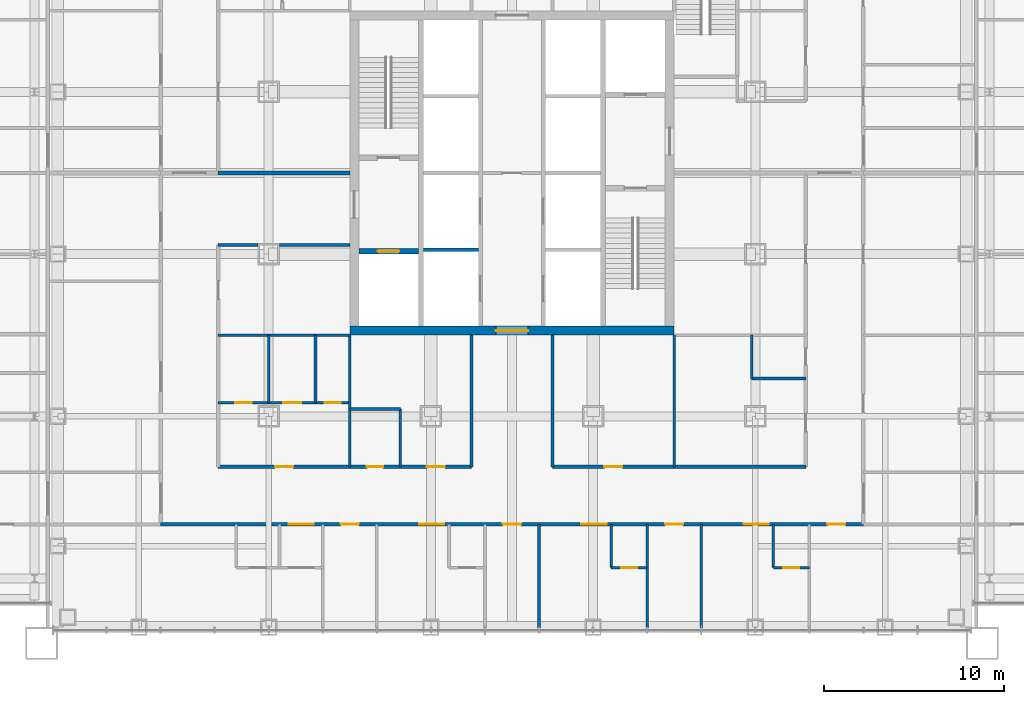
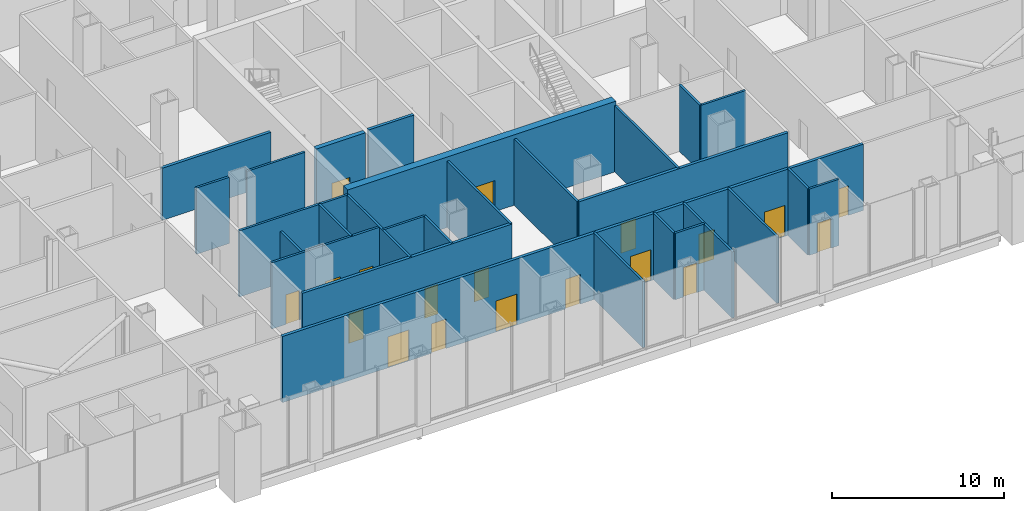
# One storey, part 17 of 28: 28 walls, 19 doors, 19 openings.
"""IFC4 building model written with IfcOpenShell, lengths in metres."""

from ifc_helpers import new_model, si_unit, direction, frame, frame_2d, origin, place, context, subcontext, project, spatial, rectangle, extrude, material, layer, layer_set, type_object, element, fill, save


model = new_model("IFC4")

# Units and contexts
model_context = context("Model", 3, precision=1e-05, world=origin(), true_north=direction((0.0, 1.0)))
body_context = subcontext(model_context, "Body", "Model", "MODEL_VIEW")
ifc_project = project(units=[si_unit("LENGTHUNIT", "METRE"), si_unit("AREAUNIT", "SQUARE_METRE"), si_unit("VOLUMEUNIT", "CUBIC_METRE"), si_unit("PLANEANGLEUNIT", "RADIAN"), si_unit("MASSUNIT", "GRAM", prefix="KILO")], contexts=[model_context])

# Site, building, storey
site_placement = place(None, origin())
site = spatial("IfcSite", under=ifc_project, at=site_placement, CompositionType="ELEMENT")
building_placement = place(site_placement, origin())
building = spatial("IfcBuilding", under=site, at=building_placement, Name="Malebo Sky Hospital", CompositionType="ELEMENT")
storey_placement = place(building_placement, frame((0.0, 0.0, 21.0)))
storey = spatial("IfcBuildingStorey", under=building, at=storey_placement, Name="L04", CompositionType="ELEMENT", Elevation=21.0)

# Wall
ifc_material_1 = material(Name="Concrete C80/95", Category="concrete")
ifc_layer_1 = layer(ifc_material_1, 0.199951171875)
ifc_layer_set_1 = layer_set([ifc_layer_1], Name="CORE INNER WALL 200")
wall_type_1 = type_object("IfcWallType", Name="CORE INNER WALL 200", PredefinedType="SHEAR", material=ifc_layer_set_1)
wall_1_placement = place(storey_placement, frame((55.10009765625, 57.75, 0.0), z_axis=(0.0, 0.0, 1.0), x_axis=(1.0, 0.0, 0.0)))
element("IfcWall", 1, at=wall_1_placement, inside=storey, type_object=wall_type_1, Name="Core wall SW0 L04", PredefinedType="SHEAR", context=body_context, shape_type="SweptSolid", body=[
    extrude(rectangle(XDim=3.0498046875, YDim=0.199951171875, at=frame_2d((1.52490234375, 0.0))), origin(), (0.0, 0.0, 1.0), 5.0),
])

# Wall, opening, door
ifc_layer_2 = layer(ifc_material_1, 0.300048828125)
ifc_layer_set_2 = layer_set([ifc_layer_2], Name="CORE INNER WALL 300")
wall_type_2 = type_object("IfcWallType", Name="CORE INNER WALL 300", PredefinedType="SHEAR", material=ifc_layer_set_2)
wall_2_placement = place(storey_placement, frame((51.5, 57.64990234375, 0.0), z_axis=(0.0, 0.0, 1.0), x_axis=(1.0, 0.0, 0.0)))
wall_2 = element("IfcWall", 2, at=wall_2_placement, inside=storey, type_object=wall_type_2, Name="Core wall W2 L04", PredefinedType="SHEAR", context=body_context, shape_type="SweptSolid", body=[
    extrude(rectangle(XDim=3.300048828125, YDim=0.300048828125, at=frame_2d((1.64990234375, 0.0))), origin(), (0.0, 0.0, 1.0), 5.0),
])
opening_1_placement = place(wall_2_placement, frame((1.050048828125, 0.0, 0.0)))
opening_1 = element("IfcOpeningElement", 3, at=opening_1_placement, cuts=wall_2, Name="Opening LD2", PredefinedType="OPENING", context=body_context, shape_type="SweptSolid", body=[
    extrude(rectangle(XDim=1.199951171875, YDim=2.199951171875, at=frame_2d((0.60009765625, 1.10009765625))), frame((0.0, 0.159912109375, 0.0), z_axis=(0.0, -1.0, 0.0), x_axis=(1.0, 0.0, 0.0)), (0.0, 0.0, 1.0), 0.320068359375),
])
ifc_material_2 = material(Name="Stainless steel sliding landing door", Category="steel")
door_type_1 = type_object("IfcDoorType", Name="FIRE-FIGHTING LIFT LANDING DOOR 1200", OperationType="SLIDING_TO_LEFT", PredefinedType="DOOR", material=ifc_material_2)
door_1_placement = place(opening_1_placement, origin())
door_1 = element("IfcDoor", 4, at=door_1_placement, inside=storey, type_object=door_type_1, Name="Lift FL1 landing door", OperationType="SLIDING_TO_LEFT", OverallHeight=2.199951171875, OverallWidth=1.199951171875, PredefinedType="DOOR", context=body_context, shape_type="SweptSolid", body=[
    extrude(rectangle(XDim=1.199951171875, YDim=2.199951171875, at=frame_2d((0.60009765625, 1.10009765625))), frame((0.0, 0.02490234375, 0.0), z_axis=(0.0, -1.0, 0.0), x_axis=(1.0, 0.0, 0.0)), (0.0, 0.0, 1.0), 0.050048828125),
])
fill(opening_1, door_1)

ifc_layer_3 = layer(ifc_material_1, 0.5)
ifc_layer_set_3 = layer_set([ifc_layer_3], Name="CORE WALL 500")
wall_type_3 = type_object("IfcWallType", Name="CORE WALL 500", PredefinedType="SHEAR", material=ifc_layer_set_3)
wall_3_placement = place(storey_placement, frame((51.0, 53.25, 0.0), z_axis=(0.0, 0.0, 1.0), x_axis=(1.0, 0.0, 0.0)))
wall_3 = element("IfcWall", 5, at=wall_3_placement, inside=storey, type_object=wall_type_3, Name="Core wall S L04", PredefinedType="SHEAR", context=body_context, shape_type="SweptSolid", body=[
    extrude(rectangle(XDim=18.0, YDim=0.5, at=frame_2d((9.0, 0.0))), origin(), (0.0, 0.0, 1.0), 5.0),
])
opening_2_placement = place(wall_3_placement, frame((8.10009765625, 0.0, 0.0)))
opening_2 = element("IfcOpeningElement", 6, at=opening_2_placement, cuts=wall_3, Name="Opening D06", PredefinedType="OPENING", context=body_context, shape_type="SweptSolid", body=[
    extrude(rectangle(XDim=1.800048828125, YDim=2.199951171875, at=frame_2d((0.89990234375, 1.10009765625))), frame((0.0, 0.260009765625, 0.0), z_axis=(0.0, -1.0, 0.0), x_axis=(1.0, 0.0, 0.0)), (0.0, 0.0, 1.0), 0.52001953125),
])
ifc_material_3 = material(Name="Hardwood-faced door leaf in steel frame", Category="steel")
door_type_2 = type_object("IfcDoorType", Name="LOBBY DOOR PAIR 1800", OperationType="DOUBLE_DOOR_SINGLE_SWING", PredefinedType="DOOR", material=ifc_material_3)
door_2_placement = place(opening_2_placement, origin())
door_2 = element("IfcDoor", 7, at=door_2_placement, inside=storey, type_object=door_type_2, Name="Lift lobby door south", OperationType="DOUBLE_DOOR_SINGLE_SWING", OverallHeight=2.199951171875, OverallWidth=1.800048828125, PredefinedType="DOOR", context=body_context, shape_type="SweptSolid", body=[
    extrude(rectangle(XDim=1.800048828125, YDim=2.199951171875, at=frame_2d((0.89990234375, 1.10009765625))), frame((0.0, 0.02490234375, 0.0), z_axis=(0.0, -1.0, 0.0), x_axis=(1.0, 0.0, 0.0)), (0.0, 0.0, 1.0), 0.050048828125),
])
fill(opening_2, door_2)

# Wall, openings, doors
ifc_material_4 = material(Name="Gypsum board on steel studs", Category="steel")
ifc_layer_4 = layer(ifc_material_4, 0.199951171875)
ifc_layer_set_4 = layer_set([ifc_layer_4], Name="CORRIDOR WALL 200")
wall_type_4 = type_object("IfcWallType", Name="CORRIDOR WALL 200", PredefinedType="PARTITIONING", material=ifc_layer_set_4)
wall_4_placement = place(storey_placement, frame((79.5, 42.5, 0.0), z_axis=(0.0, 0.0, 1.0), x_axis=(-1.0, 0.0, 0.0)))
wall_4 = element("IfcWall", 8, at=wall_4_placement, inside=storey, type_object=wall_type_4, Name="Corridor Wall 200 SCO", PredefinedType="PARTITIONING", context=body_context, shape_type="SweptSolid", body=[
    extrude(rectangle(XDim=39.0, YDim=0.199951171875, at=frame_2d((19.5, 0.0))), origin(), (0.0, 0.0, 1.0), 4.699951171875),
])
opening_3_placement = place(wall_4_placement, frame((1.0, 0.0, 0.0)))
opening_3 = element("IfcOpeningElement", 9, at=opening_3_placement, cuts=wall_4, Name="Opening D03", PredefinedType="OPENING", context=body_context, shape_type="SweptSolid", body=[
    extrude(rectangle(XDim=1.0, YDim=2.10009765625, at=frame_2d((0.5, 1.050048828125))), frame((0.0, 0.10986328125, 0.0), z_axis=(0.0, -1.0, 0.0), x_axis=(1.0, 0.0, 0.0)), (0.0, 0.0, 1.0), 0.219970703125),
])
opening_4_placement = place(wall_4_placement, frame((5.25, 0.0, 0.0)))
opening_4 = element("IfcOpeningElement", 10, at=opening_4_placement, cuts=wall_4, Name="Opening D25", PredefinedType="OPENING", context=body_context, shape_type="SweptSolid", body=[
    extrude(rectangle(XDim=1.39990234375, YDim=2.199951171875, at=frame_2d((0.699951171875, 1.10009765625))), frame((0.0, 0.10986328125, 0.0), z_axis=(0.0, -1.0, 0.0), x_axis=(1.0, 0.0, 0.0)), (0.0, 0.0, 1.0), 0.219970703125),
])
opening_5_placement = place(wall_4_placement, frame((10.0, 0.0, 0.0)))
opening_5 = element("IfcOpeningElement", 11, at=opening_5_placement, cuts=wall_4, Name="Opening D03", PredefinedType="OPENING", context=body_context, shape_type="SweptSolid", body=[
    extrude(rectangle(XDim=1.0, YDim=2.10009765625, at=frame_2d((0.5, 1.050048828125))), frame((0.0, 0.10986328125, 0.0), z_axis=(0.0, -1.0, 0.0), x_axis=(1.0, 0.0, 0.0)), (0.0, 0.0, 1.0), 0.219970703125),
])
opening_6_placement = place(wall_4_placement, frame((14.25, 0.0, 0.0)))
opening_6 = element("IfcOpeningElement", 12, at=opening_6_placement, cuts=wall_4, Name="Opening D25", PredefinedType="OPENING", context=body_context, shape_type="SweptSolid", body=[
    extrude(rectangle(XDim=1.39990234375, YDim=2.199951171875, at=frame_2d((0.699951171875, 1.10009765625))), frame((0.0, 0.10986328125, 0.0), z_axis=(0.0, -1.0, 0.0), x_axis=(1.0, 0.0, 0.0)), (0.0, 0.0, 1.0), 0.219970703125),
])
opening_7_placement = place(wall_4_placement, frame((19.0, 0.0, 0.0)))
opening_7 = element("IfcOpeningElement", 13, at=opening_7_placement, cuts=wall_4, Name="Opening D03", PredefinedType="OPENING", context=body_context, shape_type="SweptSolid", body=[
    extrude(rectangle(XDim=1.0, YDim=2.10009765625, at=frame_2d((0.5, 1.050048828125))), frame((0.0, 0.10986328125, 0.0), z_axis=(0.0, -1.0, 0.0), x_axis=(1.0, 0.0, 0.0)), (0.0, 0.0, 1.0), 0.219970703125),
])
opening_8_placement = place(wall_4_placement, frame((23.25, 0.0, 0.0)))
opening_8 = element("IfcOpeningElement", 14, at=opening_8_placement, cuts=wall_4, Name="Opening D25", PredefinedType="OPENING", context=body_context, shape_type="SweptSolid", body=[
    extrude(rectangle(XDim=1.39990234375, YDim=2.199951171875, at=frame_2d((0.699951171875, 1.10009765625))), frame((0.0, 0.10986328125, 0.0), z_axis=(0.0, -1.0, 0.0), x_axis=(1.0, 0.0, 0.0)), (0.0, 0.0, 1.0), 0.219970703125),
])
opening_9_placement = place(wall_4_placement, frame((28.0, 0.0, 0.0)))
opening_9 = element("IfcOpeningElement", 15, at=opening_9_placement, cuts=wall_4, Name="Opening D03", PredefinedType="OPENING", context=body_context, shape_type="SweptSolid", body=[
    extrude(rectangle(XDim=1.0, YDim=2.10009765625, at=frame_2d((0.5, 1.050048828125))), frame((0.0, 0.10986328125, 0.0), z_axis=(0.0, -1.0, 0.0), x_axis=(1.0, 0.0, 0.0)), (0.0, 0.0, 1.0), 0.219970703125),
])
opening_10_placement = place(wall_4_placement, frame((30.5, 0.0, 0.0)))
opening_10 = element("IfcOpeningElement", 16, at=opening_10_placement, cuts=wall_4, Name="Opening D25", PredefinedType="OPENING", context=body_context, shape_type="SweptSolid", body=[
    extrude(rectangle(XDim=1.39990234375, YDim=2.199951171875, at=frame_2d((0.699951171875, 1.10009765625))), frame((0.0, 0.10986328125, 0.0), z_axis=(0.0, -1.0, 0.0), x_axis=(1.0, 0.0, 0.0)), (0.0, 0.0, 1.0), 0.219970703125),
])
door_type_3 = type_object("IfcDoorType", Name="BED DOOR PAIR 1400", OperationType="DOUBLE_DOOR_SINGLE_SWING", PredefinedType="DOOR", material=ifc_material_3)
door_3_placement = place(opening_4_placement, origin())
door_3 = element("IfcDoor", 17, at=door_3_placement, inside=storey, type_object=door_type_3, Name="ICU bed room door", OperationType="DOUBLE_DOOR_SINGLE_SWING", OverallHeight=2.199951171875, OverallWidth=1.39990234375, PredefinedType="DOOR", context=body_context, shape_type="SweptSolid", body=[
    extrude(rectangle(XDim=1.39990234375, YDim=2.199951171875, at=frame_2d((0.699951171875, 1.10009765625))), frame((0.0, 0.02490234375, 0.0), z_axis=(0.0, -1.0, 0.0), x_axis=(1.0, 0.0, 0.0)), (0.0, 0.0, 1.0), 0.050048828125),
])
fill(opening_4, door_3)
door_4_placement = place(opening_6_placement, origin())
door_4 = element("IfcDoor", 18, at=door_4_placement, inside=storey, type_object=door_type_3, Name="ICU bed room door", OperationType="DOUBLE_DOOR_SINGLE_SWING", OverallHeight=2.199951171875, OverallWidth=1.39990234375, PredefinedType="DOOR", context=body_context, shape_type="SweptSolid", body=[
    extrude(rectangle(XDim=1.39990234375, YDim=2.199951171875, at=frame_2d((0.699951171875, 1.10009765625))), frame((0.0, 0.02490234375, 0.0), z_axis=(0.0, -1.0, 0.0), x_axis=(1.0, 0.0, 0.0)), (0.0, 0.0, 1.0), 0.050048828125),
])
fill(opening_6, door_4)
door_5_placement = place(opening_8_placement, origin())
door_5 = element("IfcDoor", 19, at=door_5_placement, inside=storey, type_object=door_type_3, Name="ICU bed room door", OperationType="DOUBLE_DOOR_SINGLE_SWING", OverallHeight=2.199951171875, OverallWidth=1.39990234375, PredefinedType="DOOR", context=body_context, shape_type="SweptSolid", body=[
    extrude(rectangle(XDim=1.39990234375, YDim=2.199951171875, at=frame_2d((0.699951171875, 1.10009765625))), frame((0.0, 0.02490234375, 0.0), z_axis=(0.0, -1.0, 0.0), x_axis=(1.0, 0.0, 0.0)), (0.0, 0.0, 1.0), 0.050048828125),
])
fill(opening_8, door_5)
door_6_placement = place(opening_10_placement, origin())
door_6 = element("IfcDoor", 20, at=door_6_placement, inside=storey, type_object=door_type_3, Name="Anteroom door", OperationType="DOUBLE_DOOR_SINGLE_SWING", OverallHeight=2.199951171875, OverallWidth=1.39990234375, PredefinedType="DOOR", context=body_context, shape_type="SweptSolid", body=[
    extrude(rectangle(XDim=1.39990234375, YDim=2.199951171875, at=frame_2d((0.699951171875, 1.10009765625))), frame((0.0, 0.02490234375, 0.0), z_axis=(0.0, -1.0, 0.0), x_axis=(1.0, 0.0, 0.0)), (0.0, 0.0, 1.0), 0.050048828125),
])
fill(opening_10, door_6)
door_type_4 = type_object("IfcDoorType", Name="ROOM DOOR 1000", OperationType="SINGLE_SWING_LEFT", PredefinedType="DOOR", material=ifc_material_3)
door_7_placement = place(opening_3_placement, origin())
door_7 = element("IfcDoor", 21, at=door_7_placement, inside=storey, type_object=door_type_4, Name="ICU equipment bay door", OperationType="SINGLE_SWING_LEFT", OverallHeight=2.10009765625, OverallWidth=1.0, PredefinedType="DOOR", context=body_context, shape_type="SweptSolid", body=[
    extrude(rectangle(XDim=1.0, YDim=2.10009765625, at=frame_2d((0.5, 1.050048828125))), frame((0.0, 0.02490234375, 0.0), z_axis=(0.0, -1.0, 0.0), x_axis=(1.0, 0.0, 0.0)), (0.0, 0.0, 1.0), 0.050048828125),
])
fill(opening_3, door_7)
door_8_placement = place(opening_5_placement, origin())
door_8 = element("IfcDoor", 22, at=door_8_placement, inside=storey, type_object=door_type_4, Name="ICU nurse observation base door", OperationType="SINGLE_SWING_LEFT", OverallHeight=2.10009765625, OverallWidth=1.0, PredefinedType="DOOR", context=body_context, shape_type="SweptSolid", body=[
    extrude(rectangle(XDim=1.0, YDim=2.10009765625, at=frame_2d((0.5, 1.050048828125))), frame((0.0, 0.02490234375, 0.0), z_axis=(0.0, -1.0, 0.0), x_axis=(1.0, 0.0, 0.0)), (0.0, 0.0, 1.0), 0.050048828125),
])
fill(opening_5, door_8)
door_9_placement = place(opening_7_placement, origin())
door_9 = element("IfcDoor", 23, at=door_9_placement, inside=storey, type_object=door_type_4, Name="ICU equipment bay door", OperationType="SINGLE_SWING_LEFT", OverallHeight=2.10009765625, OverallWidth=1.0, PredefinedType="DOOR", context=body_context, shape_type="SweptSolid", body=[
    extrude(rectangle(XDim=1.0, YDim=2.10009765625, at=frame_2d((0.5, 1.050048828125))), frame((0.0, 0.02490234375, 0.0), z_axis=(0.0, -1.0, 0.0), x_axis=(1.0, 0.0, 0.0)), (0.0, 0.0, 1.0), 0.050048828125),
])
fill(opening_7, door_9)
door_10_placement = place(opening_9_placement, origin())
door_10 = element("IfcDoor", 24, at=door_10_placement, inside=storey, type_object=door_type_4, Name="ICU nurse observation base door", OperationType="SINGLE_SWING_LEFT", OverallHeight=2.10009765625, OverallWidth=1.0, PredefinedType="DOOR", context=body_context, shape_type="SweptSolid", body=[
    extrude(rectangle(XDim=1.0, YDim=2.10009765625, at=frame_2d((0.5, 1.050048828125))), frame((0.0, 0.02490234375, 0.0), z_axis=(0.0, -1.0, 0.0), x_axis=(1.0, 0.0, 0.0)), (0.0, 0.0, 1.0), 0.050048828125),
])
fill(opening_9, door_10)

# Wall, opening, door
wall_5_placement = place(storey_placement, frame((76.300048828125, 45.699951171875, 0.0), z_axis=(0.0, 0.0, 1.0), x_axis=(-1.0, 0.0, 0.0)))
wall_5 = element("IfcWall", 25, at=wall_5_placement, inside=storey, type_object=wall_type_4, Name="Corridor Wall 200 SCI1", PredefinedType="PARTITIONING", context=body_context, shape_type="SweptSolid", body=[
    extrude(rectangle(XDim=14.050048828125, YDim=0.199951171875, at=frame_2d((7.02490234375, 0.0))), origin(), (0.0, 0.0, 1.0), 4.699951171875),
])
opening_11_placement = place(wall_5_placement, frame((10.175048828125, 0.0, 0.0)))
opening_11 = element("IfcOpeningElement", 26, at=opening_11_placement, cuts=wall_5, Name="Opening D03", PredefinedType="OPENING", context=body_context, shape_type="SweptSolid", body=[
    extrude(rectangle(XDim=1.0, YDim=2.10009765625, at=frame_2d((0.5, 1.050048828125))), frame((0.0, 0.10986328125, 0.0), z_axis=(0.0, -1.0, 0.0), x_axis=(1.0, 0.0, 0.0)), (0.0, 0.0, 1.0), 0.219970703125),
])
door_11_placement = place(opening_11_placement, origin())
door_11 = element("IfcDoor", 27, at=door_11_placement, inside=storey, type_object=door_type_4, Name="Medication room door", OperationType="SINGLE_SWING_LEFT", OverallHeight=2.10009765625, OverallWidth=1.0, PredefinedType="DOOR", context=body_context, shape_type="SweptSolid", body=[
    extrude(rectangle(XDim=1.0, YDim=2.10009765625, at=frame_2d((0.5, 1.050048828125))), frame((0.0, 0.02490234375, 0.0), z_axis=(0.0, -1.0, 0.0), x_axis=(1.0, 0.0, 0.0)), (0.0, 0.0, 1.0), 0.050048828125),
])
fill(opening_11, door_11)

# Wall, openings, doors
wall_6_placement = place(storey_placement, frame((57.75, 45.699951171875, 0.0), z_axis=(0.0, 0.0, 1.0), x_axis=(-1.0, 0.0, 0.0)))
wall_6 = element("IfcWall", 28, at=wall_6_placement, inside=storey, type_object=wall_type_4, Name="Corridor Wall 200 SCI2", PredefinedType="PARTITIONING", context=body_context, shape_type="SweptSolid", body=[
    extrude(rectangle(XDim=14.050048828125, YDim=0.199951171875, at=frame_2d((7.02490234375, 0.0))), origin(), (0.0, 0.0, 1.0), 4.699951171875),
])
opening_12_placement = place(wall_6_placement, frame((9.89990234375, 0.0, 0.0)))
opening_12 = element("IfcOpeningElement", 29, at=opening_12_placement, cuts=wall_6, Name="Opening D03", PredefinedType="OPENING", context=body_context, shape_type="SweptSolid", body=[
    extrude(rectangle(XDim=1.0, YDim=2.10009765625, at=frame_2d((0.5, 1.050048828125))), frame((0.0, 0.10986328125, 0.0), z_axis=(0.0, -1.0, 0.0), x_axis=(1.0, 0.0, 0.0)), (0.0, 0.0, 1.0), 0.219970703125),
])
opening_13_placement = place(wall_6_placement, frame((4.89990234375, 0.0, 0.0)))
opening_13 = element("IfcOpeningElement", 30, at=opening_13_placement, cuts=wall_6, Name="Opening D04", PredefinedType="OPENING", context=body_context, shape_type="SweptSolid", body=[
    extrude(rectangle(XDim=0.89990234375, YDim=2.10009765625, at=frame_2d((0.449951171875, 1.050048828125))), frame((0.0, 0.10986328125, 0.0), z_axis=(0.0, -1.0, 0.0), x_axis=(1.0, 0.0, 0.0)), (0.0, 0.0, 1.0), 0.219970703125),
])
opening_14_placement = place(wall_6_placement, frame((1.47509765625, 0.0, 0.0)))
opening_14 = element("IfcOpeningElement", 31, at=opening_14_placement, cuts=wall_6, Name="Opening D03", PredefinedType="OPENING", context=body_context, shape_type="SweptSolid", body=[
    extrude(rectangle(XDim=1.0, YDim=2.10009765625, at=frame_2d((0.5, 1.050048828125))), frame((0.0, 0.10986328125, 0.0), z_axis=(0.0, -1.0, 0.0), x_axis=(1.0, 0.0, 0.0)), (0.0, 0.0, 1.0), 0.219970703125),
])
door_12_placement = place(opening_12_placement, origin())
door_12 = element("IfcDoor", 32, at=door_12_placement, inside=storey, type_object=door_type_4, Name="Patient WC vestibule door", OperationType="SINGLE_SWING_RIGHT", OverallHeight=2.10009765625, OverallWidth=1.0, PredefinedType="DOOR", context=body_context, shape_type="SweptSolid", body=[
    extrude(rectangle(XDim=1.0, YDim=2.10009765625, at=frame_2d((0.5, 1.050048828125))), frame((0.0, 0.02490234375, 0.0), z_axis=(0.0, -1.0, 0.0), x_axis=(1.0, 0.0, 0.0)), (0.0, 0.0, 1.0), 0.050048828125),
])
fill(opening_12, door_12)
door_13_placement = place(opening_14_placement, origin())
door_13 = element("IfcDoor", 33, at=door_13_placement, inside=storey, type_object=door_type_4, Name="Patient shower equipment store door", OperationType="SINGLE_SWING_LEFT", OverallHeight=2.10009765625, OverallWidth=1.0, PredefinedType="DOOR", context=body_context, shape_type="SweptSolid", body=[
    extrude(rectangle(XDim=1.0, YDim=2.10009765625, at=frame_2d((0.5, 1.050048828125))), frame((0.0, 0.02490234375, 0.0), z_axis=(0.0, -1.0, 0.0), x_axis=(1.0, 0.0, 0.0)), (0.0, 0.0, 1.0), 0.050048828125),
])
fill(opening_14, door_13)
door_type_5 = type_object("IfcDoorType", Name="ROOM DOOR 900", OperationType="SINGLE_SWING_LEFT", PredefinedType="DOOR", material=ifc_material_3)
door_14_placement = place(opening_13_placement, origin())
door_14 = element("IfcDoor", 34, at=door_14_placement, inside=storey, type_object=door_type_5, Name="Patient shower room door", OperationType="SINGLE_SWING_LEFT", OverallHeight=2.10009765625, OverallWidth=0.89990234375, PredefinedType="DOOR", context=body_context, shape_type="SweptSolid", body=[
    extrude(rectangle(XDim=0.89990234375, YDim=2.10009765625, at=frame_2d((0.449951171875, 1.050048828125))), frame((0.0, 0.02490234375, 0.0), z_axis=(0.0, -1.0, 0.0), x_axis=(1.0, 0.0, 0.0)), (0.0, 0.0, 1.0), 0.050048828125),
])
fill(opening_13, door_14)

# Walls
ifc_layer_5 = layer(ifc_material_4, 0.14990234375)
ifc_layer_set_5 = layer_set([ifc_layer_5], Name="PARTITION 150")
wall_type_5 = type_object("IfcWallType", Name="PARTITION 150", PredefinedType="PARTITIONING", material=ifc_layer_set_5)
wall_7_placement = place(storey_placement, frame((51.0, 53.0, 0.0), z_axis=(0.0, 0.0, 1.0), x_axis=(-1.0, 0.0, 0.0)))
element("IfcWall", 35, at=wall_7_placement, inside=storey, type_object=wall_type_5, Name="Partition 150 WSPM", PredefinedType="PARTITIONING", context=body_context, shape_type="SweptSolid", body=[
    extrude(rectangle(XDim=7.300048828125, YDim=0.14990234375, at=frame_2d((3.64990234375, 0.0))), origin(), (0.0, 0.0, 1.0), 4.699951171875),
])
wall_8_placement = place(storey_placement, frame((51.0, 58.0, 0.0), z_axis=(0.0, 0.0, 1.0), x_axis=(-1.0, 0.0, 0.0)))
element("IfcWall", 36, at=wall_8_placement, inside=storey, type_object=wall_type_5, Name="Partition 150 WSPA", PredefinedType="PARTITIONING", context=body_context, shape_type="SweptSolid", body=[
    extrude(rectangle(XDim=3.89990234375, YDim=0.14990234375, at=frame_2d((1.949951171875, 0.0))), origin(), (0.0, 0.0, 1.0), 4.699951171875),
])
wall_9_placement = place(storey_placement, frame((45.89990234375, 58.0, 0.0), z_axis=(0.0, 0.0, 1.0), x_axis=(-1.0, 0.0, 0.0)))
element("IfcWall", 37, at=wall_9_placement, inside=storey, type_object=wall_type_5, Name="Partition 150 WSPA", PredefinedType="PARTITIONING", context=body_context, shape_type="SweptSolid", body=[
    extrude(rectangle(XDim=2.199951171875, YDim=0.14990234375, at=frame_2d((1.10009765625, 0.0))), origin(), (0.0, 0.0, 1.0), 4.699951171875),
])
for number, where, z_axis, x_axis, name in (
    (38, (70.5, 42.5, 0.0), (0.0, 0.0, 1.0), (0.0, -1.0, 0.0), "Partition 150 SP-10.5"),
    (39, (67.5, 42.5, 0.0), (0.0, 0.0, 1.0), (0.0, -1.0, 0.0), "Partition 150 SP-7.5"),
    (40, (61.5, 42.5, 0.0), (0.0, 0.0, 1.0), (0.0, -1.0, 0.0), "Partition 150 SP-1.5"),
):
    element("IfcWall", number, at=place(storey_placement, frame(where, z_axis=z_axis, x_axis=x_axis)), inside=storey, type_object=wall_type_5, Name=name, PredefinedType="PARTITIONING", context=body_context, shape_type="SweptSolid", body=[
        extrude(rectangle(XDim=5.75, YDim=0.14990234375, at=frame_2d((2.875, 0.0))), origin(), (0.0, 0.0, 1.0), 4.699951171875),
    ])

# Wall, opening, door
wall_10_placement = place(storey_placement, frame((76.5, 40.10009765625, 0.0), z_axis=(0.0, 0.0, 1.0), x_axis=(-1.0, 0.0, 0.0)))
wall_10 = element("IfcWall", 41, at=wall_10_placement, inside=storey, type_object=wall_type_5, Name="Partition 150 SE1F", PredefinedType="PARTITIONING", context=body_context, shape_type="SweptSolid", body=[
    extrude(rectangle(XDim=2.0, YDim=0.14990234375, at=frame_2d((1.0, 0.0))), origin(), (0.0, 0.0, 1.0), 4.699951171875),
])
opening_15_placement = place(wall_10_placement, frame((0.550048828125, 0.0, 0.0)))
opening_15 = element("IfcOpeningElement", 42, at=opening_15_placement, cuts=wall_10, Name="Opening D02", PredefinedType="OPENING", context=body_context, shape_type="SweptSolid", body=[
    extrude(rectangle(XDim=0.89990234375, YDim=2.10009765625, at=frame_2d((0.449951171875, 1.050048828125))), frame((0.0, 0.0849609375, 0.0), z_axis=(0.0, -1.0, 0.0), x_axis=(1.0, 0.0, 0.0)), (0.0, 0.0, 1.0), 0.169921875),
])
door_type_6 = type_object("IfcDoorType", Name="EN-SUITE DOOR 900", OperationType="SINGLE_SWING_LEFT", PredefinedType="DOOR", material=ifc_material_3)
door_15_placement = place(opening_15_placement, origin())
door_15 = element("IfcDoor", 43, at=door_15_placement, inside=storey, type_object=door_type_6, Name="En-suite door", OperationType="SINGLE_SWING_LEFT", OverallHeight=2.10009765625, OverallWidth=0.89990234375, PredefinedType="DOOR", context=body_context, shape_type="SweptSolid", body=[
    extrude(rectangle(XDim=0.89990234375, YDim=2.10009765625, at=frame_2d((0.449951171875, 1.050048828125))), frame((0.0, 0.02490234375, 0.0), z_axis=(0.0, -1.0, 0.0), x_axis=(1.0, 0.0, 0.0)), (0.0, 0.0, 1.0), 0.050048828125),
])
fill(opening_15, door_15)

# Wall
wall_11_placement = place(storey_placement, frame((74.5, 42.5, 0.0), z_axis=(0.0, 0.0, 1.0), x_axis=(0.0, -1.0, 0.0)))
element("IfcWall", 44, at=wall_11_placement, inside=storey, type_object=wall_type_5, Name="Partition 150 SE1S", PredefinedType="PARTITIONING", context=body_context, shape_type="SweptSolid", body=[
    extrude(rectangle(XDim=2.39990234375, YDim=0.14990234375, at=frame_2d((1.199951171875, 0.0))), origin(), (0.0, 0.0, 1.0), 4.699951171875),
])

# Wall, opening, door
wall_12_placement = place(storey_placement, frame((67.5, 40.10009765625, 0.0), z_axis=(0.0, 0.0, 1.0), x_axis=(-1.0, 0.0, 0.0)))
wall_12 = element("IfcWall", 45, at=wall_12_placement, inside=storey, type_object=wall_type_5, Name="Partition 150 SE3F", PredefinedType="PARTITIONING", context=body_context, shape_type="SweptSolid", body=[
    extrude(rectangle(XDim=2.0, YDim=0.14990234375, at=frame_2d((1.0, 0.0))), origin(), (0.0, 0.0, 1.0), 4.699951171875),
])
opening_16_placement = place(wall_12_placement, frame((0.550048828125, 0.0, 0.0)))
opening_16 = element("IfcOpeningElement", 46, at=opening_16_placement, cuts=wall_12, Name="Opening D02", PredefinedType="OPENING", context=body_context, shape_type="SweptSolid", body=[
    extrude(rectangle(XDim=0.89990234375, YDim=2.10009765625, at=frame_2d((0.449951171875, 1.050048828125))), frame((0.0, 0.0849609375, 0.0), z_axis=(0.0, -1.0, 0.0), x_axis=(1.0, 0.0, 0.0)), (0.0, 0.0, 1.0), 0.169921875),
])
door_16_placement = place(opening_16_placement, origin())
door_16 = element("IfcDoor", 47, at=door_16_placement, inside=storey, type_object=door_type_6, Name="En-suite door", OperationType="SINGLE_SWING_LEFT", OverallHeight=2.10009765625, OverallWidth=0.89990234375, PredefinedType="DOOR", context=body_context, shape_type="SweptSolid", body=[
    extrude(rectangle(XDim=0.89990234375, YDim=2.10009765625, at=frame_2d((0.449951171875, 1.050048828125))), frame((0.0, 0.02490234375, 0.0), z_axis=(0.0, -1.0, 0.0), x_axis=(1.0, 0.0, 0.0)), (0.0, 0.0, 1.0), 0.050048828125),
])
fill(opening_16, door_16)

# Walls
wall_13_placement = place(storey_placement, frame((65.5, 42.5, 0.0), z_axis=(0.0, 0.0, 1.0), x_axis=(0.0, -1.0, 0.0)))
element("IfcWall", 48, at=wall_13_placement, inside=storey, type_object=wall_type_5, Name="Partition 150 SE3S", PredefinedType="PARTITIONING", context=body_context, shape_type="SweptSolid", body=[
    extrude(rectangle(XDim=2.39990234375, YDim=0.14990234375, at=frame_2d((1.199951171875, 0.0))), origin(), (0.0, 0.0, 1.0), 4.699951171875),
])
for number, where, z_axis, x_axis, name in (
    (49, (69.0, 53.0, 0.0), (0.0, 0.0, 1.0), (0.0, -1.0, 0.0), "Partition 150 SSPM"),
    (50, (62.25, 53.0, 0.0), (0.0, 0.0, 1.0), (0.0, -1.0, 0.0), "Partition 150 SSPA"),
    (51, (57.75, 53.0, 0.0), (0.0, 0.0, 1.0), (0.0, -1.0, 0.0), "Partition 150 SSPB"),
    (52, (51.0, 53.0, 0.0), (0.0, 0.0, 1.0), (0.0, -1.0, 0.0), "Partition 150 SSP9"),
):
    element("IfcWall", number, at=place(storey_placement, frame(where, z_axis=z_axis, x_axis=x_axis)), inside=storey, type_object=wall_type_5, Name=name, PredefinedType="PARTITIONING", context=body_context, shape_type="SweptSolid", body=[
        extrude(rectangle(XDim=7.300048828125, YDim=0.14990234375, at=frame_2d((3.64990234375, 0.0))), origin(), (0.0, 0.0, 1.0), 4.699951171875),
    ])
wall_14_placement = place(storey_placement, frame((53.800048828125, 48.89990234375, 0.0), z_axis=(0.0, 0.0, 1.0), x_axis=(0.0, -1.0, 0.0)))
element("IfcWall", 53, at=wall_14_placement, inside=storey, type_object=wall_type_5, Name="Partition 150 SS1K1", PredefinedType="PARTITIONING", context=body_context, shape_type="SweptSolid", body=[
    extrude(rectangle(XDim=3.199951171875, YDim=0.14990234375, at=frame_2d((1.60009765625, 0.0))), origin(), (0.0, 0.0, 1.0), 4.699951171875),
])
wall_15_placement = place(storey_placement, frame((53.800048828125, 48.89990234375, 0.0), z_axis=(0.0, 0.0, 1.0), x_axis=(-1.0, 0.0, 0.0)))
element("IfcWall", 54, at=wall_15_placement, inside=storey, type_object=wall_type_5, Name="Partition 150 SS1K2", PredefinedType="PARTITIONING", context=body_context, shape_type="SweptSolid", body=[
    extrude(rectangle(XDim=2.800048828125, YDim=0.14990234375, at=frame_2d((1.39990234375, 0.0))), origin(), (0.0, 0.0, 1.0), 4.699951171875),
])

# Wall, openings, doors
wall_16_placement = place(storey_placement, frame((51.0, 49.25, 0.0), z_axis=(0.0, 0.0, 1.0), x_axis=(-1.0, 0.0, 0.0)))
wall_16 = element("IfcWall", 55, at=wall_16_placement, inside=storey, type_object=wall_type_5, Name="Partition 150 SS2F", PredefinedType="PARTITIONING", context=body_context, shape_type="SweptSolid", body=[
    extrude(rectangle(XDim=7.300048828125, YDim=0.14990234375, at=frame_2d((3.64990234375, 0.0))), origin(), (0.0, 0.0, 1.0), 4.699951171875),
])
opening_17_placement = place(wall_16_placement, frame((0.5, 0.0, 0.0)))
opening_17 = element("IfcOpeningElement", 56, at=opening_17_placement, cuts=wall_16, Name="Opening D04", PredefinedType="OPENING", context=body_context, shape_type="SweptSolid", body=[
    extrude(rectangle(XDim=0.89990234375, YDim=2.10009765625, at=frame_2d((0.449951171875, 1.050048828125))), frame((0.0, 0.0849609375, 0.0), z_axis=(0.0, -1.0, 0.0), x_axis=(1.0, 0.0, 0.0)), (0.0, 0.0, 1.0), 0.169921875),
])
opening_18_placement = place(wall_16_placement, frame((2.699951171875, 0.0, 0.0)))
opening_18 = element("IfcOpeningElement", 57, at=opening_18_placement, cuts=wall_16, Name="Opening D03", PredefinedType="OPENING", context=body_context, shape_type="SweptSolid", body=[
    extrude(rectangle(XDim=1.0, YDim=2.10009765625, at=frame_2d((0.5, 1.050048828125))), frame((0.0, 0.0849609375, 0.0), z_axis=(0.0, -1.0, 0.0), x_axis=(1.0, 0.0, 0.0)), (0.0, 0.0, 1.0), 0.169921875),
])
opening_19_placement = place(wall_16_placement, frame((5.449951171875, 0.0, 0.0)))
opening_19 = element("IfcOpeningElement", 58, at=opening_19_placement, cuts=wall_16, Name="Opening D04", PredefinedType="OPENING", context=body_context, shape_type="SweptSolid", body=[
    extrude(rectangle(XDim=0.89990234375, YDim=2.10009765625, at=frame_2d((0.449951171875, 1.050048828125))), frame((0.0, 0.0849609375, 0.0), z_axis=(0.0, -1.0, 0.0), x_axis=(1.0, 0.0, 0.0)), (0.0, 0.0, 1.0), 0.169921875),
])
door_17_placement = place(opening_18_placement, origin())
door_17 = element("IfcDoor", 59, at=door_17_placement, inside=storey, type_object=door_type_4, Name="Accessible WC door", OperationType="SINGLE_SWING_LEFT", OverallHeight=2.10009765625, OverallWidth=1.0, PredefinedType="DOOR", context=body_context, shape_type="SweptSolid", body=[
    extrude(rectangle(XDim=1.0, YDim=2.10009765625, at=frame_2d((0.5, 1.050048828125))), frame((0.0, 0.02490234375, 0.0), z_axis=(0.0, -1.0, 0.0), x_axis=(1.0, 0.0, 0.0)), (0.0, 0.0, 1.0), 0.050048828125),
])
fill(opening_18, door_17)
door_18_placement = place(opening_17_placement, origin())
door_18 = element("IfcDoor", 60, at=door_18_placement, inside=storey, type_object=door_type_5, Name="Patient WC door", OperationType="SINGLE_SWING_LEFT", OverallHeight=2.10009765625, OverallWidth=0.89990234375, PredefinedType="DOOR", context=body_context, shape_type="SweptSolid", body=[
    extrude(rectangle(XDim=0.89990234375, YDim=2.10009765625, at=frame_2d((0.449951171875, 1.050048828125))), frame((0.0, 0.02490234375, 0.0), z_axis=(0.0, -1.0, 0.0), x_axis=(1.0, 0.0, 0.0)), (0.0, 0.0, 1.0), 0.050048828125),
])
fill(opening_17, door_18)
door_19_placement = place(opening_19_placement, origin())
door_19 = element("IfcDoor", 61, at=door_19_placement, inside=storey, type_object=door_type_5, Name="Patient WC door", OperationType="SINGLE_SWING_RIGHT", OverallHeight=2.10009765625, OverallWidth=0.89990234375, PredefinedType="DOOR", context=body_context, shape_type="SweptSolid", body=[
    extrude(rectangle(XDim=0.89990234375, YDim=2.10009765625, at=frame_2d((0.449951171875, 1.050048828125))), frame((0.0, 0.02490234375, 0.0), z_axis=(0.0, -1.0, 0.0), x_axis=(1.0, 0.0, 0.0)), (0.0, 0.0, 1.0), 0.050048828125),
])
fill(opening_19, door_19)

# Walls
wall_17_placement = place(storey_placement, frame((49.10009765625, 53.0, 0.0), z_axis=(0.0, 0.0, 1.0), x_axis=(0.0, -1.0, 0.0)))
element("IfcWall", 62, at=wall_17_placement, inside=storey, type_object=wall_type_5, Name="Partition 150 SS2W1", PredefinedType="PARTITIONING", context=body_context, shape_type="SweptSolid", body=[
    extrude(rectangle(XDim=3.75, YDim=0.14990234375, at=frame_2d((1.875, 0.0))), origin(), (0.0, 0.0, 1.0), 4.699951171875),
])
wall_18_placement = place(storey_placement, frame((46.5, 53.0, 0.0), z_axis=(0.0, 0.0, 1.0), x_axis=(0.0, -1.0, 0.0)))
element("IfcWall", 63, at=wall_18_placement, inside=storey, type_object=wall_type_5, Name="Partition 150 SS2W2", PredefinedType="PARTITIONING", context=body_context, shape_type="SweptSolid", body=[
    extrude(rectangle(XDim=3.75, YDim=0.14990234375, at=frame_2d((1.875, 0.0))), origin(), (0.0, 0.0, 1.0), 3.699951171875),
])
wall_19_placement = place(storey_placement, frame((73.300048828125, 50.60009765625, 0.0), z_axis=(0.0, 0.0, 1.0), x_axis=(1.0, 0.0, 0.0)))
element("IfcWall", 64, at=wall_19_placement, inside=storey, type_object=wall_type_5, Name="Partition 150 ES2K1", PredefinedType="PARTITIONING", context=body_context, shape_type="SweptSolid", body=[
    extrude(rectangle(XDim=3.0, YDim=0.14990234375, at=frame_2d((1.5, 0.0))), origin(), (0.0, 0.0, 1.0), 4.699951171875),
])
wall_20_placement = place(storey_placement, frame((73.300048828125, 53.0, 0.0), z_axis=(0.0, 0.0, 1.0), x_axis=(0.0, -1.0, 0.0)))
element("IfcWall", 65, at=wall_20_placement, inside=storey, type_object=wall_type_5, Name="Partition 150 ES2K2", PredefinedType="PARTITIONING", context=body_context, shape_type="SweptSolid", body=[
    extrude(rectangle(XDim=2.39990234375, YDim=0.14990234375, at=frame_2d((1.199951171875, 0.0))), origin(), (0.0, 0.0, 1.0), 4.699951171875),
])
ifc_material_5 = material(Name="Concrete blockwork", Category="masonry")
ifc_layer_6 = layer(ifc_material_5, 0.199951171875)
ifc_layer_set_6 = layer_set([ifc_layer_6], Name="SMOKE BARRIER WALL 200")
wall_type_6 = type_object("IfcWallType", Name="SMOKE BARRIER WALL 200", PredefinedType="SOLIDWALL", material=ifc_layer_set_6)
wall_21_placement = place(storey_placement, frame((51.0, 62.0, 0.0), z_axis=(0.0, 0.0, 1.0), x_axis=(-1.0, 0.0, 0.0)))
element("IfcWall", 66, at=wall_21_placement, inside=storey, type_object=wall_type_6, Name="Smoke Barrier Wall 200 WSPB", PredefinedType="SOLIDWALL", context=body_context, shape_type="SweptSolid", body=[
    extrude(rectangle(XDim=7.300048828125, YDim=0.199951171875, at=frame_2d((3.64990234375, 0.0))), origin(), (0.0, 0.0, 1.0), 3.699951171875),
])

save(model, "model.ifc")
